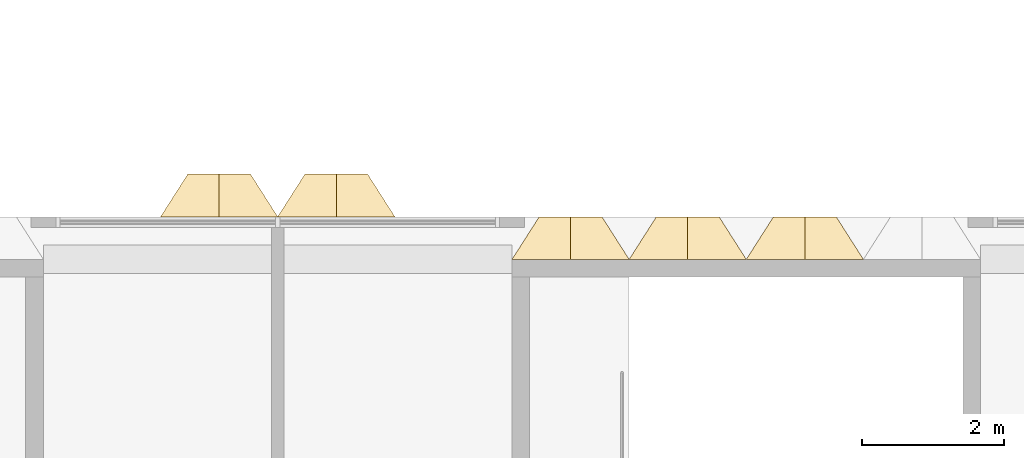
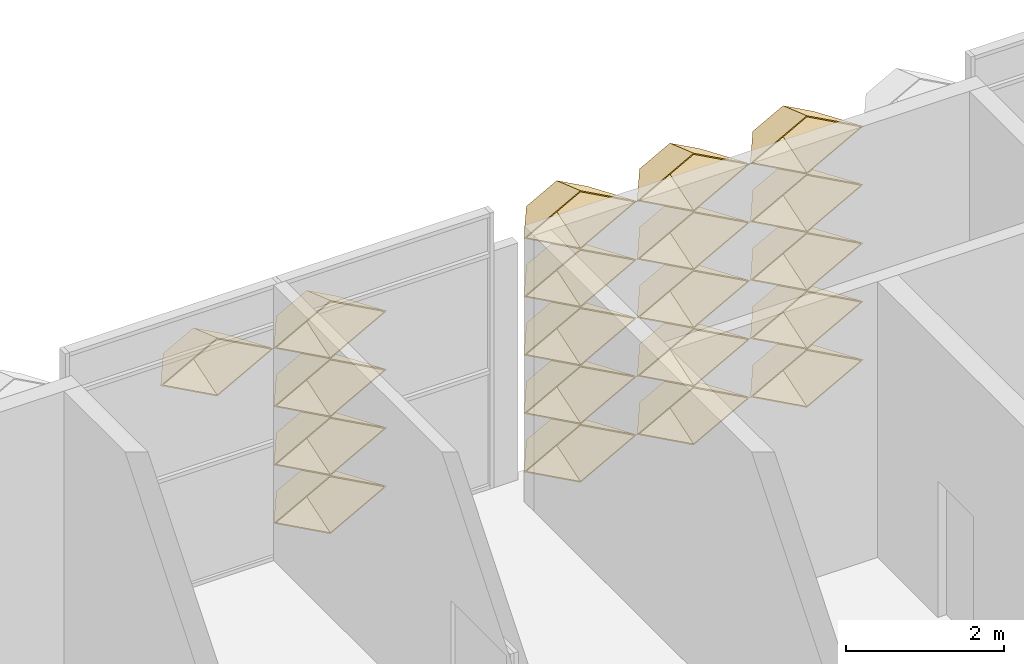
# One storey, part 44 of 61: 20 coverings.
"""IFC4 building model written with IfcOpenShell, lengths in metres."""

from ifc_helpers import new_model, entity, si_unit, direction, frame, origin, place, context, subcontext, project, spatial, material, layer, layer_set, type_object, element, save


model = new_model("IFC4")

# Units and contexts
model_context = context("Model", 3, precision=1e-05, world=origin(), true_north=direction((0.0, 1.0)))
body_context = subcontext(model_context, "Body", "Model", "MODEL_VIEW")
ifc_project = project(units=[si_unit("LENGTHUNIT", "METRE"), si_unit("AREAUNIT", "SQUARE_METRE"), si_unit("VOLUMEUNIT", "CUBIC_METRE"), si_unit("PLANEANGLEUNIT", "RADIAN"), si_unit("MASSUNIT", "GRAM", prefix="KILO")], contexts=[model_context])

# Site, building, storey
site_placement = place(None, origin())
site = spatial("IfcSite", under=ifc_project, at=site_placement, CompositionType="ELEMENT")
building_placement = place(site_placement, origin())
building = spatial("IfcBuilding", under=site, at=building_placement, Name="Lantern Court Research Institute", CompositionType="ELEMENT")
storey_placement = place(building_placement, frame((0.0, 0.0, 23.39990234375)))
storey = spatial("IfcBuildingStorey", under=building, at=storey_placement, Name="L05", CompositionType="ELEMENT", Elevation=23.39990234375)

# Coverings
ifc_material = material(Name="Anodised aluminium", Category="aluminium")
ifc_layer = layer(ifc_material, 0.01611328125)
ifc_layer_set = layer_set([ifc_layer], Name="Anodised aluminium")
covering_type = type_object("IfcCoveringType", Name="Fin cassette 1650 x 900 x 600 aluminium", PredefinedType="CLADDING", material=ifc_layer_set)
covering_1_placement = place(storey_placement, frame((33.824951171875, 23.10009765625, 0.4501953125), z_axis=(0.0, 1.0, 0.0), x_axis=(-1.0, 0.0, 0.0)))
cartesian_point_1 = entity("IfcCartesianPoint", [0.824951171875, 0.0])
cartesian_point_2 = entity("IfcCartesianPoint", [0.79150390625, 0.0])
cartesian_point_3 = entity("IfcCartesianPoint", [0.44189453125, 0.0])
cartesian_point_4 = entity("IfcCartesianPoint", [0.43359375, 0.0])
element("IfcCovering", 1, at=covering_1_placement, inside=storey, type_object=covering_type, Name="Fin cassette V4N-L05 1.21", PredefinedType="CLADDING", context=body_context, shape_type="SweptSolid", body=[
    entity("IfcExtrudedAreaSolidTapered", entity("IfcArbitraryProfileDefWithVoids", "AREA", None, entity("IfcPolyline", [cartesian_point_1, entity("IfcCartesianPoint", [0.0, 0.449951171875]), entity("IfcCartesianPoint", [-0.824951171875, 0.0]), entity("IfcCartesianPoint", [0.0, -0.449951171875]), cartesian_point_1]), [entity("IfcPolyline", [cartesian_point_2, entity("IfcCartesianPoint", [0.0, 0.431884765625]), entity("IfcCartesianPoint", [-0.79150390625, 0.0]), entity("IfcCartesianPoint", [0.0, -0.431884765625]), cartesian_point_2])]), entity("IfcAxis2Placement3D", entity("IfcCartesianPoint", [0.0, 0.0, 0.0])), entity("IfcDirection", [0.0, 0.0, 1.0]), 0.60009765625, entity("IfcArbitraryProfileDefWithVoids", "AREA", None, entity("IfcPolyline", [cartesian_point_3, entity("IfcCartesianPoint", [0.0, 0.240966796875]), entity("IfcCartesianPoint", [-0.44189453125, 0.0]), entity("IfcCartesianPoint", [0.0, -0.240966796875]), cartesian_point_3]), [entity("IfcPolyline", [cartesian_point_4, entity("IfcCartesianPoint", [0.0, 0.236572265625]), entity("IfcCartesianPoint", [-0.43359375, 0.0]), entity("IfcCartesianPoint", [0.0, -0.236572265625]), cartesian_point_4])])),
])
covering_2_placement = place(storey_placement, frame((35.47509765625, 23.10009765625, 0.4501953125), z_axis=(0.0, 1.0, 0.0), x_axis=(-1.0, 0.0, 0.0)))
cartesian_point_5 = entity("IfcCartesianPoint", [0.824951171875, 0.0])
cartesian_point_6 = entity("IfcCartesianPoint", [0.79150390625, 0.0])
cartesian_point_7 = entity("IfcCartesianPoint", [0.44189453125, 0.0])
cartesian_point_8 = entity("IfcCartesianPoint", [0.43359375, 0.0])
element("IfcCovering", 2, at=covering_2_placement, inside=storey, type_object=covering_type, Name="Fin cassette V4N-L05 1.22", PredefinedType="CLADDING", context=body_context, shape_type="SweptSolid", body=[
    entity("IfcExtrudedAreaSolidTapered", entity("IfcArbitraryProfileDefWithVoids", "AREA", None, entity("IfcPolyline", [cartesian_point_5, entity("IfcCartesianPoint", [0.0, 0.449951171875]), entity("IfcCartesianPoint", [-0.824951171875, 0.0]), entity("IfcCartesianPoint", [0.0, -0.449951171875]), cartesian_point_5]), [entity("IfcPolyline", [cartesian_point_6, entity("IfcCartesianPoint", [0.0, 0.431884765625]), entity("IfcCartesianPoint", [-0.79150390625, 0.0]), entity("IfcCartesianPoint", [0.0, -0.431884765625]), cartesian_point_6])]), entity("IfcAxis2Placement3D", entity("IfcCartesianPoint", [0.0, 0.0, 0.0])), entity("IfcDirection", [0.0, 0.0, 1.0]), 0.60009765625, entity("IfcArbitraryProfileDefWithVoids", "AREA", None, entity("IfcPolyline", [cartesian_point_7, entity("IfcCartesianPoint", [0.0, 0.240966796875]), entity("IfcCartesianPoint", [-0.44189453125, 0.0]), entity("IfcCartesianPoint", [0.0, -0.240966796875]), cartesian_point_7]), [entity("IfcPolyline", [cartesian_point_8, entity("IfcCartesianPoint", [0.0, 0.236572265625]), entity("IfcCartesianPoint", [-0.43359375, 0.0]), entity("IfcCartesianPoint", [0.0, -0.236572265625]), cartesian_point_8])])),
])
covering_3_placement = place(storey_placement, frame((37.125, 23.10009765625, 0.4501953125), z_axis=(0.0, 1.0, 0.0), x_axis=(-1.0, 0.0, 0.0)))
cartesian_point_9 = entity("IfcCartesianPoint", [0.824951171875, 0.0])
cartesian_point_10 = entity("IfcCartesianPoint", [0.79150390625, 0.0])
cartesian_point_11 = entity("IfcCartesianPoint", [0.44189453125, 0.0])
cartesian_point_12 = entity("IfcCartesianPoint", [0.43359375, 0.0])
element("IfcCovering", 3, at=covering_3_placement, inside=storey, type_object=covering_type, Name="Fin cassette V4N-L05 1.23", PredefinedType="CLADDING", context=body_context, shape_type="SweptSolid", body=[
    entity("IfcExtrudedAreaSolidTapered", entity("IfcArbitraryProfileDefWithVoids", "AREA", None, entity("IfcPolyline", [cartesian_point_9, entity("IfcCartesianPoint", [0.0, 0.449951171875]), entity("IfcCartesianPoint", [-0.824951171875, 0.0]), entity("IfcCartesianPoint", [0.0, -0.449951171875]), cartesian_point_9]), [entity("IfcPolyline", [cartesian_point_10, entity("IfcCartesianPoint", [0.0, 0.431884765625]), entity("IfcCartesianPoint", [-0.79150390625, 0.0]), entity("IfcCartesianPoint", [0.0, -0.431884765625]), cartesian_point_10])]), entity("IfcAxis2Placement3D", entity("IfcCartesianPoint", [0.0, 0.0, 0.0])), entity("IfcDirection", [0.0, 0.0, 1.0]), 0.60009765625, entity("IfcArbitraryProfileDefWithVoids", "AREA", None, entity("IfcPolyline", [cartesian_point_11, entity("IfcCartesianPoint", [0.0, 0.240966796875]), entity("IfcCartesianPoint", [-0.44189453125, 0.0]), entity("IfcCartesianPoint", [0.0, -0.240966796875]), cartesian_point_11]), [entity("IfcPolyline", [cartesian_point_12, entity("IfcCartesianPoint", [0.0, 0.236572265625]), entity("IfcCartesianPoint", [-0.43359375, 0.0]), entity("IfcCartesianPoint", [0.0, -0.236572265625]), cartesian_point_12])])),
])
covering_4_placement = place(storey_placement, frame((33.824951171875, 23.10009765625, 1.35009765625), z_axis=(0.0, 1.0, 0.0), x_axis=(-1.0, 0.0, 0.0)))
cartesian_point_13 = entity("IfcCartesianPoint", [0.824951171875, 0.0])
cartesian_point_14 = entity("IfcCartesianPoint", [0.79150390625, 0.0])
cartesian_point_15 = entity("IfcCartesianPoint", [0.44189453125, 0.0])
cartesian_point_16 = entity("IfcCartesianPoint", [0.43359375, 0.0])
element("IfcCovering", 4, at=covering_4_placement, inside=storey, type_object=covering_type, Name="Fin cassette V4N-L05 2.21", PredefinedType="CLADDING", context=body_context, shape_type="SweptSolid", body=[
    entity("IfcExtrudedAreaSolidTapered", entity("IfcArbitraryProfileDefWithVoids", "AREA", None, entity("IfcPolyline", [cartesian_point_13, entity("IfcCartesianPoint", [0.0, 0.449951171875]), entity("IfcCartesianPoint", [-0.824951171875, 0.0]), entity("IfcCartesianPoint", [0.0, -0.449951171875]), cartesian_point_13]), [entity("IfcPolyline", [cartesian_point_14, entity("IfcCartesianPoint", [0.0, 0.431884765625]), entity("IfcCartesianPoint", [-0.79150390625, 0.0]), entity("IfcCartesianPoint", [0.0, -0.431884765625]), cartesian_point_14])]), entity("IfcAxis2Placement3D", entity("IfcCartesianPoint", [0.0, 0.0, 0.0])), entity("IfcDirection", [0.0, 0.0, 1.0]), 0.60009765625, entity("IfcArbitraryProfileDefWithVoids", "AREA", None, entity("IfcPolyline", [cartesian_point_15, entity("IfcCartesianPoint", [0.0, 0.240966796875]), entity("IfcCartesianPoint", [-0.44189453125, 0.0]), entity("IfcCartesianPoint", [0.0, -0.240966796875]), cartesian_point_15]), [entity("IfcPolyline", [cartesian_point_16, entity("IfcCartesianPoint", [0.0, 0.236572265625]), entity("IfcCartesianPoint", [-0.43359375, 0.0]), entity("IfcCartesianPoint", [0.0, -0.236572265625]), cartesian_point_16])])),
])
covering_5_placement = place(storey_placement, frame((35.47509765625, 23.10009765625, 1.35009765625), z_axis=(0.0, 1.0, 0.0), x_axis=(-1.0, 0.0, 0.0)))
cartesian_point_17 = entity("IfcCartesianPoint", [0.824951171875, 0.0])
cartesian_point_18 = entity("IfcCartesianPoint", [0.79150390625, 0.0])
cartesian_point_19 = entity("IfcCartesianPoint", [0.44189453125, 0.0])
cartesian_point_20 = entity("IfcCartesianPoint", [0.43359375, 0.0])
element("IfcCovering", 5, at=covering_5_placement, inside=storey, type_object=covering_type, Name="Fin cassette V4N-L05 2.22", PredefinedType="CLADDING", context=body_context, shape_type="SweptSolid", body=[
    entity("IfcExtrudedAreaSolidTapered", entity("IfcArbitraryProfileDefWithVoids", "AREA", None, entity("IfcPolyline", [cartesian_point_17, entity("IfcCartesianPoint", [0.0, 0.449951171875]), entity("IfcCartesianPoint", [-0.824951171875, 0.0]), entity("IfcCartesianPoint", [0.0, -0.449951171875]), cartesian_point_17]), [entity("IfcPolyline", [cartesian_point_18, entity("IfcCartesianPoint", [0.0, 0.431884765625]), entity("IfcCartesianPoint", [-0.79150390625, 0.0]), entity("IfcCartesianPoint", [0.0, -0.431884765625]), cartesian_point_18])]), entity("IfcAxis2Placement3D", entity("IfcCartesianPoint", [0.0, 0.0, 0.0])), entity("IfcDirection", [0.0, 0.0, 1.0]), 0.60009765625, entity("IfcArbitraryProfileDefWithVoids", "AREA", None, entity("IfcPolyline", [cartesian_point_19, entity("IfcCartesianPoint", [0.0, 0.240966796875]), entity("IfcCartesianPoint", [-0.44189453125, 0.0]), entity("IfcCartesianPoint", [0.0, -0.240966796875]), cartesian_point_19]), [entity("IfcPolyline", [cartesian_point_20, entity("IfcCartesianPoint", [0.0, 0.236572265625]), entity("IfcCartesianPoint", [-0.43359375, 0.0]), entity("IfcCartesianPoint", [0.0, -0.236572265625]), cartesian_point_20])])),
])
covering_6_placement = place(storey_placement, frame((37.125, 23.10009765625, 1.35009765625), z_axis=(0.0, 1.0, 0.0), x_axis=(-1.0, 0.0, 0.0)))
cartesian_point_21 = entity("IfcCartesianPoint", [0.824951171875, 0.0])
cartesian_point_22 = entity("IfcCartesianPoint", [0.79150390625, 0.0])
cartesian_point_23 = entity("IfcCartesianPoint", [0.44189453125, 0.0])
cartesian_point_24 = entity("IfcCartesianPoint", [0.43359375, 0.0])
element("IfcCovering", 6, at=covering_6_placement, inside=storey, type_object=covering_type, Name="Fin cassette V4N-L05 2.23", PredefinedType="CLADDING", context=body_context, shape_type="SweptSolid", body=[
    entity("IfcExtrudedAreaSolidTapered", entity("IfcArbitraryProfileDefWithVoids", "AREA", None, entity("IfcPolyline", [cartesian_point_21, entity("IfcCartesianPoint", [0.0, 0.449951171875]), entity("IfcCartesianPoint", [-0.824951171875, 0.0]), entity("IfcCartesianPoint", [0.0, -0.449951171875]), cartesian_point_21]), [entity("IfcPolyline", [cartesian_point_22, entity("IfcCartesianPoint", [0.0, 0.431884765625]), entity("IfcCartesianPoint", [-0.79150390625, 0.0]), entity("IfcCartesianPoint", [0.0, -0.431884765625]), cartesian_point_22])]), entity("IfcAxis2Placement3D", entity("IfcCartesianPoint", [0.0, 0.0, 0.0])), entity("IfcDirection", [0.0, 0.0, 1.0]), 0.60009765625, entity("IfcArbitraryProfileDefWithVoids", "AREA", None, entity("IfcPolyline", [cartesian_point_23, entity("IfcCartesianPoint", [0.0, 0.240966796875]), entity("IfcCartesianPoint", [-0.44189453125, 0.0]), entity("IfcCartesianPoint", [0.0, -0.240966796875]), cartesian_point_23]), [entity("IfcPolyline", [cartesian_point_24, entity("IfcCartesianPoint", [0.0, 0.236572265625]), entity("IfcCartesianPoint", [-0.43359375, 0.0]), entity("IfcCartesianPoint", [0.0, -0.236572265625]), cartesian_point_24])])),
])
covering_7_placement = place(storey_placement, frame((33.824951171875, 23.10009765625, 2.25), z_axis=(0.0, 1.0, 0.0), x_axis=(-1.0, 0.0, 0.0)))
cartesian_point_25 = entity("IfcCartesianPoint", [0.824951171875, 0.0])
cartesian_point_26 = entity("IfcCartesianPoint", [0.79150390625, 0.0])
cartesian_point_27 = entity("IfcCartesianPoint", [0.44189453125, 0.0])
cartesian_point_28 = entity("IfcCartesianPoint", [0.43359375, 0.0])
element("IfcCovering", 7, at=covering_7_placement, inside=storey, type_object=covering_type, Name="Fin cassette V4N-L05 3.21", PredefinedType="CLADDING", context=body_context, shape_type="SweptSolid", body=[
    entity("IfcExtrudedAreaSolidTapered", entity("IfcArbitraryProfileDefWithVoids", "AREA", None, entity("IfcPolyline", [cartesian_point_25, entity("IfcCartesianPoint", [0.0, 0.449951171875]), entity("IfcCartesianPoint", [-0.824951171875, 0.0]), entity("IfcCartesianPoint", [0.0, -0.449951171875]), cartesian_point_25]), [entity("IfcPolyline", [cartesian_point_26, entity("IfcCartesianPoint", [0.0, 0.431884765625]), entity("IfcCartesianPoint", [-0.79150390625, 0.0]), entity("IfcCartesianPoint", [0.0, -0.431884765625]), cartesian_point_26])]), entity("IfcAxis2Placement3D", entity("IfcCartesianPoint", [0.0, 0.0, 0.0])), entity("IfcDirection", [0.0, 0.0, 1.0]), 0.60009765625, entity("IfcArbitraryProfileDefWithVoids", "AREA", None, entity("IfcPolyline", [cartesian_point_27, entity("IfcCartesianPoint", [0.0, 0.240966796875]), entity("IfcCartesianPoint", [-0.44189453125, 0.0]), entity("IfcCartesianPoint", [0.0, -0.240966796875]), cartesian_point_27]), [entity("IfcPolyline", [cartesian_point_28, entity("IfcCartesianPoint", [0.0, 0.236572265625]), entity("IfcCartesianPoint", [-0.43359375, 0.0]), entity("IfcCartesianPoint", [0.0, -0.236572265625]), cartesian_point_28])])),
])
covering_8_placement = place(storey_placement, frame((35.47509765625, 23.10009765625, 2.25), z_axis=(0.0, 1.0, 0.0), x_axis=(-1.0, 0.0, 0.0)))
cartesian_point_29 = entity("IfcCartesianPoint", [0.824951171875, 0.0])
cartesian_point_30 = entity("IfcCartesianPoint", [0.79150390625, 0.0])
cartesian_point_31 = entity("IfcCartesianPoint", [0.44189453125, 0.0])
cartesian_point_32 = entity("IfcCartesianPoint", [0.43359375, 0.0])
element("IfcCovering", 8, at=covering_8_placement, inside=storey, type_object=covering_type, Name="Fin cassette V4N-L05 3.22", PredefinedType="CLADDING", context=body_context, shape_type="SweptSolid", body=[
    entity("IfcExtrudedAreaSolidTapered", entity("IfcArbitraryProfileDefWithVoids", "AREA", None, entity("IfcPolyline", [cartesian_point_29, entity("IfcCartesianPoint", [0.0, 0.449951171875]), entity("IfcCartesianPoint", [-0.824951171875, 0.0]), entity("IfcCartesianPoint", [0.0, -0.449951171875]), cartesian_point_29]), [entity("IfcPolyline", [cartesian_point_30, entity("IfcCartesianPoint", [0.0, 0.431884765625]), entity("IfcCartesianPoint", [-0.79150390625, 0.0]), entity("IfcCartesianPoint", [0.0, -0.431884765625]), cartesian_point_30])]), entity("IfcAxis2Placement3D", entity("IfcCartesianPoint", [0.0, 0.0, 0.0])), entity("IfcDirection", [0.0, 0.0, 1.0]), 0.60009765625, entity("IfcArbitraryProfileDefWithVoids", "AREA", None, entity("IfcPolyline", [cartesian_point_31, entity("IfcCartesianPoint", [0.0, 0.240966796875]), entity("IfcCartesianPoint", [-0.44189453125, 0.0]), entity("IfcCartesianPoint", [0.0, -0.240966796875]), cartesian_point_31]), [entity("IfcPolyline", [cartesian_point_32, entity("IfcCartesianPoint", [0.0, 0.236572265625]), entity("IfcCartesianPoint", [-0.43359375, 0.0]), entity("IfcCartesianPoint", [0.0, -0.236572265625]), cartesian_point_32])])),
])
covering_9_placement = place(storey_placement, frame((37.125, 23.10009765625, 2.25), z_axis=(0.0, 1.0, 0.0), x_axis=(-1.0, 0.0, 0.0)))
cartesian_point_33 = entity("IfcCartesianPoint", [0.824951171875, 0.0])
cartesian_point_34 = entity("IfcCartesianPoint", [0.79150390625, 0.0])
cartesian_point_35 = entity("IfcCartesianPoint", [0.44189453125, 0.0])
cartesian_point_36 = entity("IfcCartesianPoint", [0.43359375, 0.0])
element("IfcCovering", 9, at=covering_9_placement, inside=storey, type_object=covering_type, Name="Fin cassette V4N-L05 3.23", PredefinedType="CLADDING", context=body_context, shape_type="SweptSolid", body=[
    entity("IfcExtrudedAreaSolidTapered", entity("IfcArbitraryProfileDefWithVoids", "AREA", None, entity("IfcPolyline", [cartesian_point_33, entity("IfcCartesianPoint", [0.0, 0.449951171875]), entity("IfcCartesianPoint", [-0.824951171875, 0.0]), entity("IfcCartesianPoint", [0.0, -0.449951171875]), cartesian_point_33]), [entity("IfcPolyline", [cartesian_point_34, entity("IfcCartesianPoint", [0.0, 0.431884765625]), entity("IfcCartesianPoint", [-0.79150390625, 0.0]), entity("IfcCartesianPoint", [0.0, -0.431884765625]), cartesian_point_34])]), entity("IfcAxis2Placement3D", entity("IfcCartesianPoint", [0.0, 0.0, 0.0])), entity("IfcDirection", [0.0, 0.0, 1.0]), 0.60009765625, entity("IfcArbitraryProfileDefWithVoids", "AREA", None, entity("IfcPolyline", [cartesian_point_35, entity("IfcCartesianPoint", [0.0, 0.240966796875]), entity("IfcCartesianPoint", [-0.44189453125, 0.0]), entity("IfcCartesianPoint", [0.0, -0.240966796875]), cartesian_point_35]), [entity("IfcPolyline", [cartesian_point_36, entity("IfcCartesianPoint", [0.0, 0.236572265625]), entity("IfcCartesianPoint", [-0.43359375, 0.0]), entity("IfcCartesianPoint", [0.0, -0.236572265625]), cartesian_point_36])])),
])
covering_10_placement = place(storey_placement, frame((33.824951171875, 23.10009765625, 3.150146484375), z_axis=(0.0, 1.0, 0.0), x_axis=(-1.0, 0.0, 0.0)))
cartesian_point_37 = entity("IfcCartesianPoint", [0.824951171875, 0.0])
cartesian_point_38 = entity("IfcCartesianPoint", [0.79150390625, 0.0])
cartesian_point_39 = entity("IfcCartesianPoint", [0.44189453125, 0.0])
cartesian_point_40 = entity("IfcCartesianPoint", [0.43359375, 0.0])
element("IfcCovering", 10, at=covering_10_placement, inside=storey, type_object=covering_type, Name="Fin cassette V4N-L05 4.21", PredefinedType="CLADDING", context=body_context, shape_type="SweptSolid", body=[
    entity("IfcExtrudedAreaSolidTapered", entity("IfcArbitraryProfileDefWithVoids", "AREA", None, entity("IfcPolyline", [cartesian_point_37, entity("IfcCartesianPoint", [0.0, 0.449951171875]), entity("IfcCartesianPoint", [-0.824951171875, 0.0]), entity("IfcCartesianPoint", [0.0, -0.449951171875]), cartesian_point_37]), [entity("IfcPolyline", [cartesian_point_38, entity("IfcCartesianPoint", [0.0, 0.431884765625]), entity("IfcCartesianPoint", [-0.79150390625, 0.0]), entity("IfcCartesianPoint", [0.0, -0.431884765625]), cartesian_point_38])]), entity("IfcAxis2Placement3D", entity("IfcCartesianPoint", [0.0, 0.0, 0.0])), entity("IfcDirection", [0.0, 0.0, 1.0]), 0.60009765625, entity("IfcArbitraryProfileDefWithVoids", "AREA", None, entity("IfcPolyline", [cartesian_point_39, entity("IfcCartesianPoint", [0.0, 0.240966796875]), entity("IfcCartesianPoint", [-0.44189453125, 0.0]), entity("IfcCartesianPoint", [0.0, -0.240966796875]), cartesian_point_39]), [entity("IfcPolyline", [cartesian_point_40, entity("IfcCartesianPoint", [0.0, 0.236572265625]), entity("IfcCartesianPoint", [-0.43359375, 0.0]), entity("IfcCartesianPoint", [0.0, -0.236572265625]), cartesian_point_40])])),
])
covering_11_placement = place(storey_placement, frame((35.47509765625, 23.10009765625, 3.150146484375), z_axis=(0.0, 1.0, 0.0), x_axis=(-1.0, 0.0, 0.0)))
cartesian_point_41 = entity("IfcCartesianPoint", [0.824951171875, 0.0])
cartesian_point_42 = entity("IfcCartesianPoint", [0.79150390625, 0.0])
cartesian_point_43 = entity("IfcCartesianPoint", [0.44189453125, 0.0])
cartesian_point_44 = entity("IfcCartesianPoint", [0.43359375, 0.0])
element("IfcCovering", 11, at=covering_11_placement, inside=storey, type_object=covering_type, Name="Fin cassette V4N-L05 4.22", PredefinedType="CLADDING", context=body_context, shape_type="SweptSolid", body=[
    entity("IfcExtrudedAreaSolidTapered", entity("IfcArbitraryProfileDefWithVoids", "AREA", None, entity("IfcPolyline", [cartesian_point_41, entity("IfcCartesianPoint", [0.0, 0.449951171875]), entity("IfcCartesianPoint", [-0.824951171875, 0.0]), entity("IfcCartesianPoint", [0.0, -0.449951171875]), cartesian_point_41]), [entity("IfcPolyline", [cartesian_point_42, entity("IfcCartesianPoint", [0.0, 0.431884765625]), entity("IfcCartesianPoint", [-0.79150390625, 0.0]), entity("IfcCartesianPoint", [0.0, -0.431884765625]), cartesian_point_42])]), entity("IfcAxis2Placement3D", entity("IfcCartesianPoint", [0.0, 0.0, 0.0])), entity("IfcDirection", [0.0, 0.0, 1.0]), 0.60009765625, entity("IfcArbitraryProfileDefWithVoids", "AREA", None, entity("IfcPolyline", [cartesian_point_43, entity("IfcCartesianPoint", [0.0, 0.240966796875]), entity("IfcCartesianPoint", [-0.44189453125, 0.0]), entity("IfcCartesianPoint", [0.0, -0.240966796875]), cartesian_point_43]), [entity("IfcPolyline", [cartesian_point_44, entity("IfcCartesianPoint", [0.0, 0.236572265625]), entity("IfcCartesianPoint", [-0.43359375, 0.0]), entity("IfcCartesianPoint", [0.0, -0.236572265625]), cartesian_point_44])])),
])
covering_12_placement = place(storey_placement, frame((37.125, 23.10009765625, 3.150146484375), z_axis=(0.0, 1.0, 0.0), x_axis=(-1.0, 0.0, 0.0)))
cartesian_point_45 = entity("IfcCartesianPoint", [0.824951171875, 0.0])
cartesian_point_46 = entity("IfcCartesianPoint", [0.79150390625, 0.0])
cartesian_point_47 = entity("IfcCartesianPoint", [0.44189453125, 0.0])
cartesian_point_48 = entity("IfcCartesianPoint", [0.43359375, 0.0])
element("IfcCovering", 12, at=covering_12_placement, inside=storey, type_object=covering_type, Name="Fin cassette V4N-L05 4.23", PredefinedType="CLADDING", context=body_context, shape_type="SweptSolid", body=[
    entity("IfcExtrudedAreaSolidTapered", entity("IfcArbitraryProfileDefWithVoids", "AREA", None, entity("IfcPolyline", [cartesian_point_45, entity("IfcCartesianPoint", [0.0, 0.449951171875]), entity("IfcCartesianPoint", [-0.824951171875, 0.0]), entity("IfcCartesianPoint", [0.0, -0.449951171875]), cartesian_point_45]), [entity("IfcPolyline", [cartesian_point_46, entity("IfcCartesianPoint", [0.0, 0.431884765625]), entity("IfcCartesianPoint", [-0.79150390625, 0.0]), entity("IfcCartesianPoint", [0.0, -0.431884765625]), cartesian_point_46])]), entity("IfcAxis2Placement3D", entity("IfcCartesianPoint", [0.0, 0.0, 0.0])), entity("IfcDirection", [0.0, 0.0, 1.0]), 0.60009765625, entity("IfcArbitraryProfileDefWithVoids", "AREA", None, entity("IfcPolyline", [cartesian_point_47, entity("IfcCartesianPoint", [0.0, 0.240966796875]), entity("IfcCartesianPoint", [-0.44189453125, 0.0]), entity("IfcCartesianPoint", [0.0, -0.240966796875]), cartesian_point_47]), [entity("IfcPolyline", [cartesian_point_48, entity("IfcCartesianPoint", [0.0, 0.236572265625]), entity("IfcCartesianPoint", [-0.43359375, 0.0]), entity("IfcCartesianPoint", [0.0, -0.236572265625]), cartesian_point_48])])),
])
covering_13_placement = place(storey_placement, frame((33.824951171875, 23.10009765625, 4.050048828125), z_axis=(0.0, 1.0, 0.0), x_axis=(-1.0, 0.0, 0.0)))
cartesian_point_49 = entity("IfcCartesianPoint", [0.824951171875, 0.0])
cartesian_point_50 = entity("IfcCartesianPoint", [0.79150390625, 0.0])
cartesian_point_51 = entity("IfcCartesianPoint", [0.44189453125, 0.0])
cartesian_point_52 = entity("IfcCartesianPoint", [0.43359375, 0.0])
element("IfcCovering", 13, at=covering_13_placement, inside=storey, type_object=covering_type, Name="Fin cassette V4N-L05 5.21", PredefinedType="CLADDING", context=body_context, shape_type="SweptSolid", body=[
    entity("IfcExtrudedAreaSolidTapered", entity("IfcArbitraryProfileDefWithVoids", "AREA", None, entity("IfcPolyline", [cartesian_point_49, entity("IfcCartesianPoint", [0.0, 0.449951171875]), entity("IfcCartesianPoint", [-0.824951171875, 0.0]), entity("IfcCartesianPoint", [0.0, -0.449951171875]), cartesian_point_49]), [entity("IfcPolyline", [cartesian_point_50, entity("IfcCartesianPoint", [0.0, 0.431884765625]), entity("IfcCartesianPoint", [-0.79150390625, 0.0]), entity("IfcCartesianPoint", [0.0, -0.431884765625]), cartesian_point_50])]), entity("IfcAxis2Placement3D", entity("IfcCartesianPoint", [0.0, 0.0, 0.0])), entity("IfcDirection", [0.0, 0.0, 1.0]), 0.60009765625, entity("IfcArbitraryProfileDefWithVoids", "AREA", None, entity("IfcPolyline", [cartesian_point_51, entity("IfcCartesianPoint", [0.0, 0.240966796875]), entity("IfcCartesianPoint", [-0.44189453125, 0.0]), entity("IfcCartesianPoint", [0.0, -0.240966796875]), cartesian_point_51]), [entity("IfcPolyline", [cartesian_point_52, entity("IfcCartesianPoint", [0.0, 0.236572265625]), entity("IfcCartesianPoint", [-0.43359375, 0.0]), entity("IfcCartesianPoint", [0.0, -0.236572265625]), cartesian_point_52])])),
])
covering_14_placement = place(storey_placement, frame((35.47509765625, 23.10009765625, 4.050048828125), z_axis=(0.0, 1.0, 0.0), x_axis=(-1.0, 0.0, 0.0)))
cartesian_point_53 = entity("IfcCartesianPoint", [0.824951171875, 0.0])
cartesian_point_54 = entity("IfcCartesianPoint", [0.79150390625, 0.0])
cartesian_point_55 = entity("IfcCartesianPoint", [0.44189453125, 0.0])
cartesian_point_56 = entity("IfcCartesianPoint", [0.43359375, 0.0])
element("IfcCovering", 14, at=covering_14_placement, inside=storey, type_object=covering_type, Name="Fin cassette V4N-L05 5.22", PredefinedType="CLADDING", context=body_context, shape_type="SweptSolid", body=[
    entity("IfcExtrudedAreaSolidTapered", entity("IfcArbitraryProfileDefWithVoids", "AREA", None, entity("IfcPolyline", [cartesian_point_53, entity("IfcCartesianPoint", [0.0, 0.449951171875]), entity("IfcCartesianPoint", [-0.824951171875, 0.0]), entity("IfcCartesianPoint", [0.0, -0.449951171875]), cartesian_point_53]), [entity("IfcPolyline", [cartesian_point_54, entity("IfcCartesianPoint", [0.0, 0.431884765625]), entity("IfcCartesianPoint", [-0.79150390625, 0.0]), entity("IfcCartesianPoint", [0.0, -0.431884765625]), cartesian_point_54])]), entity("IfcAxis2Placement3D", entity("IfcCartesianPoint", [0.0, 0.0, 0.0])), entity("IfcDirection", [0.0, 0.0, 1.0]), 0.60009765625, entity("IfcArbitraryProfileDefWithVoids", "AREA", None, entity("IfcPolyline", [cartesian_point_55, entity("IfcCartesianPoint", [0.0, 0.240966796875]), entity("IfcCartesianPoint", [-0.44189453125, 0.0]), entity("IfcCartesianPoint", [0.0, -0.240966796875]), cartesian_point_55]), [entity("IfcPolyline", [cartesian_point_56, entity("IfcCartesianPoint", [0.0, 0.236572265625]), entity("IfcCartesianPoint", [-0.43359375, 0.0]), entity("IfcCartesianPoint", [0.0, -0.236572265625]), cartesian_point_56])])),
])
covering_15_placement = place(storey_placement, frame((37.125, 23.10009765625, 4.050048828125), z_axis=(0.0, 1.0, 0.0), x_axis=(-1.0, 0.0, 0.0)))
cartesian_point_57 = entity("IfcCartesianPoint", [0.824951171875, 0.0])
cartesian_point_58 = entity("IfcCartesianPoint", [0.79150390625, 0.0])
cartesian_point_59 = entity("IfcCartesianPoint", [0.44189453125, 0.0])
cartesian_point_60 = entity("IfcCartesianPoint", [0.43359375, 0.0])
element("IfcCovering", 15, at=covering_15_placement, inside=storey, type_object=covering_type, Name="Fin cassette V4N-L05 5.23", PredefinedType="CLADDING", context=body_context, shape_type="SweptSolid", body=[
    entity("IfcExtrudedAreaSolidTapered", entity("IfcArbitraryProfileDefWithVoids", "AREA", None, entity("IfcPolyline", [cartesian_point_57, entity("IfcCartesianPoint", [0.0, 0.449951171875]), entity("IfcCartesianPoint", [-0.824951171875, 0.0]), entity("IfcCartesianPoint", [0.0, -0.449951171875]), cartesian_point_57]), [entity("IfcPolyline", [cartesian_point_58, entity("IfcCartesianPoint", [0.0, 0.431884765625]), entity("IfcCartesianPoint", [-0.79150390625, 0.0]), entity("IfcCartesianPoint", [0.0, -0.431884765625]), cartesian_point_58])]), entity("IfcAxis2Placement3D", entity("IfcCartesianPoint", [0.0, 0.0, 0.0])), entity("IfcDirection", [0.0, 0.0, 1.0]), 0.60009765625, entity("IfcArbitraryProfileDefWithVoids", "AREA", None, entity("IfcPolyline", [cartesian_point_59, entity("IfcCartesianPoint", [0.0, 0.240966796875]), entity("IfcCartesianPoint", [-0.44189453125, 0.0]), entity("IfcCartesianPoint", [0.0, -0.240966796875]), cartesian_point_59]), [entity("IfcPolyline", [cartesian_point_60, entity("IfcCartesianPoint", [0.0, 0.236572265625]), entity("IfcCartesianPoint", [-0.43359375, 0.0]), entity("IfcCartesianPoint", [0.0, -0.236572265625]), cartesian_point_60])])),
])
covering_16_placement = place(storey_placement, frame((30.52490234375, 23.699951171875, 0.4501953125), z_axis=(0.0, 1.0, 0.0), x_axis=(-1.0, 0.0, 0.0)))
cartesian_point_61 = entity("IfcCartesianPoint", [0.824951171875, 0.0])
cartesian_point_62 = entity("IfcCartesianPoint", [0.79150390625, 0.0])
cartesian_point_63 = entity("IfcCartesianPoint", [0.44189453125, 0.0])
cartesian_point_64 = entity("IfcCartesianPoint", [0.43359375, 0.0])
element("IfcCovering", 16, at=covering_16_placement, inside=storey, type_object=covering_type, Name="Fin cassette V4N-L05 1.19", PredefinedType="CLADDING", context=body_context, shape_type="SweptSolid", body=[
    entity("IfcExtrudedAreaSolidTapered", entity("IfcArbitraryProfileDefWithVoids", "AREA", None, entity("IfcPolyline", [cartesian_point_61, entity("IfcCartesianPoint", [0.0, 0.449951171875]), entity("IfcCartesianPoint", [-0.824951171875, 0.0]), entity("IfcCartesianPoint", [0.0, -0.449951171875]), cartesian_point_61]), [entity("IfcPolyline", [cartesian_point_62, entity("IfcCartesianPoint", [0.0, 0.431884765625]), entity("IfcCartesianPoint", [-0.79150390625, 0.0]), entity("IfcCartesianPoint", [0.0, -0.431884765625]), cartesian_point_62])]), entity("IfcAxis2Placement3D", entity("IfcCartesianPoint", [0.0, 0.0, 0.0])), entity("IfcDirection", [0.0, 0.0, 1.0]), 0.60009765625, entity("IfcArbitraryProfileDefWithVoids", "AREA", None, entity("IfcPolyline", [cartesian_point_63, entity("IfcCartesianPoint", [0.0, 0.240966796875]), entity("IfcCartesianPoint", [-0.44189453125, 0.0]), entity("IfcCartesianPoint", [0.0, -0.240966796875]), cartesian_point_63]), [entity("IfcPolyline", [cartesian_point_64, entity("IfcCartesianPoint", [0.0, 0.236572265625]), entity("IfcCartesianPoint", [-0.43359375, 0.0]), entity("IfcCartesianPoint", [0.0, -0.236572265625]), cartesian_point_64])])),
])
covering_17_placement = place(storey_placement, frame((30.52490234375, 23.699951171875, 1.35009765625), z_axis=(0.0, 1.0, 0.0), x_axis=(-1.0, 0.0, 0.0)))
cartesian_point_65 = entity("IfcCartesianPoint", [0.824951171875, 0.0])
cartesian_point_66 = entity("IfcCartesianPoint", [0.79150390625, 0.0])
cartesian_point_67 = entity("IfcCartesianPoint", [0.44189453125, 0.0])
cartesian_point_68 = entity("IfcCartesianPoint", [0.43359375, 0.0])
element("IfcCovering", 17, at=covering_17_placement, inside=storey, type_object=covering_type, Name="Fin cassette V4N-L05 2.19", PredefinedType="CLADDING", context=body_context, shape_type="SweptSolid", body=[
    entity("IfcExtrudedAreaSolidTapered", entity("IfcArbitraryProfileDefWithVoids", "AREA", None, entity("IfcPolyline", [cartesian_point_65, entity("IfcCartesianPoint", [0.0, 0.449951171875]), entity("IfcCartesianPoint", [-0.824951171875, 0.0]), entity("IfcCartesianPoint", [0.0, -0.449951171875]), cartesian_point_65]), [entity("IfcPolyline", [cartesian_point_66, entity("IfcCartesianPoint", [0.0, 0.431884765625]), entity("IfcCartesianPoint", [-0.79150390625, 0.0]), entity("IfcCartesianPoint", [0.0, -0.431884765625]), cartesian_point_66])]), entity("IfcAxis2Placement3D", entity("IfcCartesianPoint", [0.0, 0.0, 0.0])), entity("IfcDirection", [0.0, 0.0, 1.0]), 0.60009765625, entity("IfcArbitraryProfileDefWithVoids", "AREA", None, entity("IfcPolyline", [cartesian_point_67, entity("IfcCartesianPoint", [0.0, 0.240966796875]), entity("IfcCartesianPoint", [-0.44189453125, 0.0]), entity("IfcCartesianPoint", [0.0, -0.240966796875]), cartesian_point_67]), [entity("IfcPolyline", [cartesian_point_68, entity("IfcCartesianPoint", [0.0, 0.236572265625]), entity("IfcCartesianPoint", [-0.43359375, 0.0]), entity("IfcCartesianPoint", [0.0, -0.236572265625]), cartesian_point_68])])),
])
covering_18_placement = place(storey_placement, frame((30.52490234375, 23.699951171875, 2.25), z_axis=(0.0, 1.0, 0.0), x_axis=(-1.0, 0.0, 0.0)))
cartesian_point_69 = entity("IfcCartesianPoint", [0.824951171875, 0.0])
cartesian_point_70 = entity("IfcCartesianPoint", [0.79150390625, 0.0])
cartesian_point_71 = entity("IfcCartesianPoint", [0.44189453125, 0.0])
cartesian_point_72 = entity("IfcCartesianPoint", [0.43359375, 0.0])
element("IfcCovering", 18, at=covering_18_placement, inside=storey, type_object=covering_type, Name="Fin cassette V4N-L05 3.19", PredefinedType="CLADDING", context=body_context, shape_type="SweptSolid", body=[
    entity("IfcExtrudedAreaSolidTapered", entity("IfcArbitraryProfileDefWithVoids", "AREA", None, entity("IfcPolyline", [cartesian_point_69, entity("IfcCartesianPoint", [0.0, 0.449951171875]), entity("IfcCartesianPoint", [-0.824951171875, 0.0]), entity("IfcCartesianPoint", [0.0, -0.449951171875]), cartesian_point_69]), [entity("IfcPolyline", [cartesian_point_70, entity("IfcCartesianPoint", [0.0, 0.431884765625]), entity("IfcCartesianPoint", [-0.79150390625, 0.0]), entity("IfcCartesianPoint", [0.0, -0.431884765625]), cartesian_point_70])]), entity("IfcAxis2Placement3D", entity("IfcCartesianPoint", [0.0, 0.0, 0.0])), entity("IfcDirection", [0.0, 0.0, 1.0]), 0.60009765625, entity("IfcArbitraryProfileDefWithVoids", "AREA", None, entity("IfcPolyline", [cartesian_point_71, entity("IfcCartesianPoint", [0.0, 0.240966796875]), entity("IfcCartesianPoint", [-0.44189453125, 0.0]), entity("IfcCartesianPoint", [0.0, -0.240966796875]), cartesian_point_71]), [entity("IfcPolyline", [cartesian_point_72, entity("IfcCartesianPoint", [0.0, 0.236572265625]), entity("IfcCartesianPoint", [-0.43359375, 0.0]), entity("IfcCartesianPoint", [0.0, -0.236572265625]), cartesian_point_72])])),
])
covering_19_placement = place(storey_placement, frame((28.875, 23.699951171875, 3.150146484375), z_axis=(0.0, 1.0, 0.0), x_axis=(-1.0, 0.0, 0.0)))
cartesian_point_73 = entity("IfcCartesianPoint", [0.824951171875, 0.0])
cartesian_point_74 = entity("IfcCartesianPoint", [0.79150390625, 0.0])
cartesian_point_75 = entity("IfcCartesianPoint", [0.44189453125, 0.0])
cartesian_point_76 = entity("IfcCartesianPoint", [0.43359375, 0.0])
element("IfcCovering", 19, at=covering_19_placement, inside=storey, type_object=covering_type, Name="Fin cassette V4N-L05 4.18", PredefinedType="CLADDING", context=body_context, shape_type="SweptSolid", body=[
    entity("IfcExtrudedAreaSolidTapered", entity("IfcArbitraryProfileDefWithVoids", "AREA", None, entity("IfcPolyline", [cartesian_point_73, entity("IfcCartesianPoint", [0.0, 0.449951171875]), entity("IfcCartesianPoint", [-0.824951171875, 0.0]), entity("IfcCartesianPoint", [0.0, -0.449951171875]), cartesian_point_73]), [entity("IfcPolyline", [cartesian_point_74, entity("IfcCartesianPoint", [0.0, 0.431884765625]), entity("IfcCartesianPoint", [-0.79150390625, 0.0]), entity("IfcCartesianPoint", [0.0, -0.431884765625]), cartesian_point_74])]), entity("IfcAxis2Placement3D", entity("IfcCartesianPoint", [0.0, 0.0, 0.0])), entity("IfcDirection", [0.0, 0.0, 1.0]), 0.60009765625, entity("IfcArbitraryProfileDefWithVoids", "AREA", None, entity("IfcPolyline", [cartesian_point_75, entity("IfcCartesianPoint", [0.0, 0.240966796875]), entity("IfcCartesianPoint", [-0.44189453125, 0.0]), entity("IfcCartesianPoint", [0.0, -0.240966796875]), cartesian_point_75]), [entity("IfcPolyline", [cartesian_point_76, entity("IfcCartesianPoint", [0.0, 0.236572265625]), entity("IfcCartesianPoint", [-0.43359375, 0.0]), entity("IfcCartesianPoint", [0.0, -0.236572265625]), cartesian_point_76])])),
])
covering_20_placement = place(storey_placement, frame((30.52490234375, 23.699951171875, 3.150146484375), z_axis=(0.0, 1.0, 0.0), x_axis=(-1.0, 0.0, 0.0)))
cartesian_point_77 = entity("IfcCartesianPoint", [0.824951171875, 0.0])
cartesian_point_78 = entity("IfcCartesianPoint", [0.79150390625, 0.0])
cartesian_point_79 = entity("IfcCartesianPoint", [0.44189453125, 0.0])
cartesian_point_80 = entity("IfcCartesianPoint", [0.43359375, 0.0])
element("IfcCovering", 20, at=covering_20_placement, inside=storey, type_object=covering_type, Name="Fin cassette V4N-L05 4.19", PredefinedType="CLADDING", context=body_context, shape_type="SweptSolid", body=[
    entity("IfcExtrudedAreaSolidTapered", entity("IfcArbitraryProfileDefWithVoids", "AREA", None, entity("IfcPolyline", [cartesian_point_77, entity("IfcCartesianPoint", [0.0, 0.449951171875]), entity("IfcCartesianPoint", [-0.824951171875, 0.0]), entity("IfcCartesianPoint", [0.0, -0.449951171875]), cartesian_point_77]), [entity("IfcPolyline", [cartesian_point_78, entity("IfcCartesianPoint", [0.0, 0.431884765625]), entity("IfcCartesianPoint", [-0.79150390625, 0.0]), entity("IfcCartesianPoint", [0.0, -0.431884765625]), cartesian_point_78])]), entity("IfcAxis2Placement3D", entity("IfcCartesianPoint", [0.0, 0.0, 0.0])), entity("IfcDirection", [0.0, 0.0, 1.0]), 0.60009765625, entity("IfcArbitraryProfileDefWithVoids", "AREA", None, entity("IfcPolyline", [cartesian_point_79, entity("IfcCartesianPoint", [0.0, 0.240966796875]), entity("IfcCartesianPoint", [-0.44189453125, 0.0]), entity("IfcCartesianPoint", [0.0, -0.240966796875]), cartesian_point_79]), [entity("IfcPolyline", [cartesian_point_80, entity("IfcCartesianPoint", [0.0, 0.236572265625]), entity("IfcCartesianPoint", [-0.43359375, 0.0]), entity("IfcCartesianPoint", [0.0, -0.236572265625]), cartesian_point_80])])),
])

save(model, "model.ifc")
